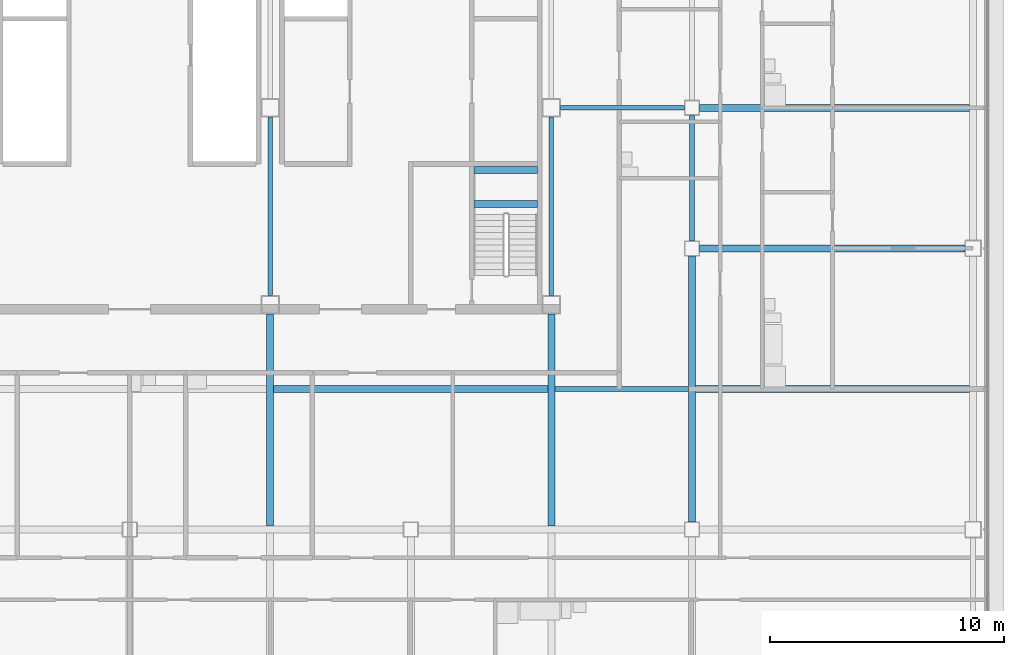
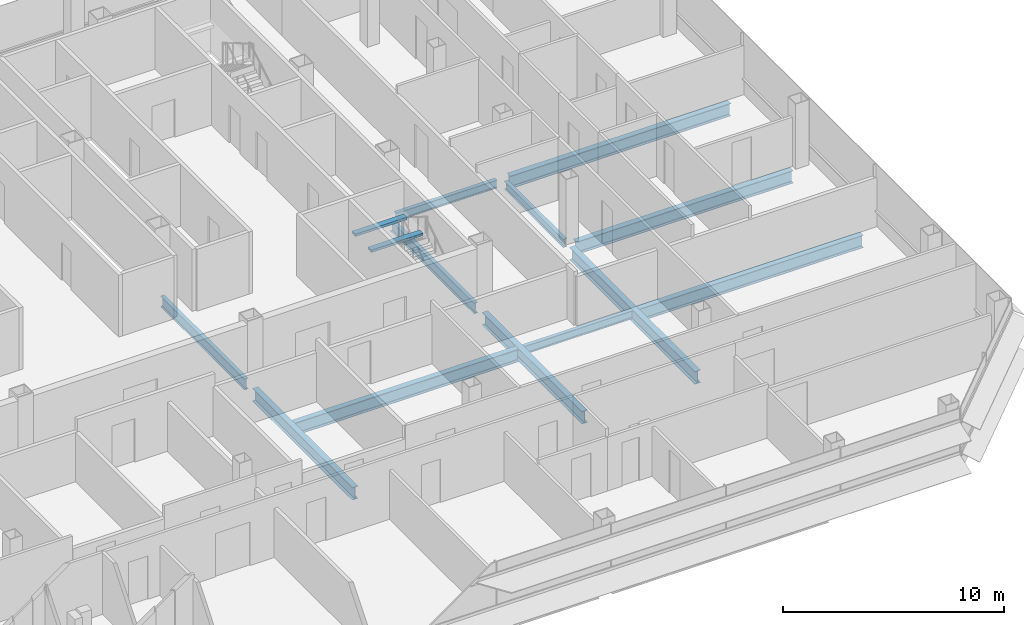
# One storey, part 10 of 26: 14 beams.
"""IFC4 building model written with IfcOpenShell, lengths in metres."""

from ifc_helpers import new_model, si_unit, direction, frame, origin, origin_2d, place, context, subcontext, project, spatial, rectangle, i_section, extrude, material, material_profile, profile_set, type_object, element, save


model = new_model("IFC4")

# Units and contexts
model_context = context("Model", 3, precision=1e-05, world=origin(), true_north=direction((0.0, 1.0)))
body_context = subcontext(model_context, "Body", "Model", "MODEL_VIEW")
ifc_project = project(units=[si_unit("LENGTHUNIT", "METRE"), si_unit("AREAUNIT", "SQUARE_METRE"), si_unit("VOLUMEUNIT", "CUBIC_METRE"), si_unit("PLANEANGLEUNIT", "RADIAN"), si_unit("MASSUNIT", "GRAM", prefix="KILO")], contexts=[model_context])

# Site, building, storey
site_placement = place(None, origin())
site = spatial("IfcSite", under=ifc_project, at=site_placement, CompositionType="ELEMENT")
building_placement = place(site_placement, origin())
building = spatial("IfcBuilding", under=site, at=building_placement, Name="Sorahane Residences", CompositionType="ELEMENT")
storey_placement = place(building_placement, frame((0.0, 0.0, 154.60009765625)))
storey = spatial("IfcBuildingStorey", under=building, at=storey_placement, Name="L35", CompositionType="ELEMENT", Elevation=154.60009765625)

# Beams
ifc_material_1 = material(Name="Concrete C40", Category="concrete")
ifc_material_profile_1 = material_profile(ifc_material_1, rectangle(XDim=0.300048828125, YDim=0.139892578125, at=origin_2d()), Name="300x140")
ifc_profile_set_1 = profile_set([ifc_material_profile_1], Name="Concrete C40")
beam_type_1 = type_object("IfcBeamType", Name="RC landing beam 300 x 140 Concrete C40", PredefinedType="BEAM", material=ifc_profile_set_1)
for number, where, z_axis, x_axis, name in (
    (1, (38.699951171875, 25.89990234375, 1.52978515625), (1.0, 0.0, 0.0), (0.0, 1.0, 0.0), "Landing beam"),
    (2, (38.699951171875, 27.35009765625, 1.52978515625), (1.0, 0.0, 0.0), (0.0, 1.0, 0.0), "Landing beam"),
):
    element("IfcBeam", number, at=place(storey_placement, frame(where, z_axis=z_axis, x_axis=x_axis)), inside=storey, type_object=beam_type_1, Name=name, PredefinedType="BEAM", context=body_context, shape_type="SweptSolid", body=[
        extrude(rectangle(XDim=0.300048828125, YDim=0.139892578125, at=origin_2d()), origin(), (0.0, 0.0, 1.0), 2.699951171875),
    ])
ifc_material_2 = material(Name="Steel Q355B", Category="steel")
ifc_material_profile_2 = material_profile(ifc_material_2, i_section(OverallWidth=0.199951171875, OverallDepth=0.449951171875, WebThickness=0.009033203125, FlangeThickness=0.013916015625, FilletRadius=0.02001953125, at=origin_2d()), Name="HN 450x200x9x14")
ifc_profile_set_2 = profile_set([ifc_material_profile_2], Name="Steel Q355B")
beam_type_2 = type_object("IfcBeamType", Name="Steel floor beam HN 450x200x9x14 Q355B", PredefinedType="BEAM", material=ifc_profile_set_2)
beam_1_placement = place(storey_placement, frame((48.0, 24.324951171875, -0.405029296875), z_axis=(0.0, 1.0, 0.0), x_axis=(-1.0, 0.0, 0.0)))
element("IfcBeam", 3, at=beam_1_placement, inside=storey, type_object=beam_type_2, Name="Beam L35 060", PredefinedType="BEAM", context=body_context, shape_type="SweptSolid", body=[
    extrude(i_section(OverallWidth=0.199951171875, OverallDepth=0.449951171875, WebThickness=0.009033203125, FlangeThickness=0.013916015625, FilletRadius=0.02001953125, at=origin_2d()), origin(), (0.0, 0.0, 1.0), 5.35009765625),
])
beam_2_placement = place(storey_placement, frame((42.14990234375, 18.0, -0.405029296875), z_axis=(1.0, 0.0, 0.0), x_axis=(0.0, 1.0, 0.0)))
element("IfcBeam", 4, at=beam_2_placement, inside=storey, type_object=beam_type_2, Name="Beam L35 083", PredefinedType="BEAM", context=body_context, shape_type="SweptSolid", body=[
    extrude(i_section(OverallWidth=0.199951171875, OverallDepth=0.449951171875, WebThickness=0.009033203125, FlangeThickness=0.013916015625, FilletRadius=0.02001953125, at=origin_2d()), origin(), (0.0, 0.0, 1.0), 5.7001953125),
])
beam_3_placement = place(storey_placement, frame((42.39990234375, 30.0, -0.405029296875), z_axis=(1.0, 0.0, 0.0), x_axis=(0.0, 1.0, 0.0)))
element("IfcBeam", 5, at=beam_3_placement, inside=storey, type_object=beam_type_2, Name="Beam L35 087", PredefinedType="BEAM", context=body_context, shape_type="SweptSolid", body=[
    extrude(i_section(OverallWidth=0.199951171875, OverallDepth=0.449951171875, WebThickness=0.009033203125, FlangeThickness=0.013916015625, FilletRadius=0.02001953125, at=origin_2d()), origin(), (0.0, 0.0, 1.0), 5.275146484375),
])
ifc_material_3 = material(Name="Steel Q355B", Category="steel")
ifc_material_profile_3 = material_profile(ifc_material_3, i_section(OverallWidth=0.199951171875, OverallDepth=0.60009765625, WebThickness=0.010986328125, FlangeThickness=0.01708984375, FilletRadius=0.02392578125, at=origin_2d()), Name="HN 600x200x11x17")
ifc_profile_set_3 = profile_set([ifc_material_profile_3], Name="Steel Q355B")
beam_type_3 = type_object("IfcBeamType", Name="Steel floor beam HN 600x200x11x17 Q355B", PredefinedType="BEAM", material=ifc_profile_set_3)
for number, where, z_axis, x_axis, name in (
    (6, (30.0, 22.0, -0.47998046875), (0.0, 1.0, 0.0), (-1.0, 0.0, 0.0), "Beam L35 046"),
    (7, (42.0, 22.0, -0.47998046875), (0.0, 1.0, 0.0), (-1.0, 0.0, 0.0), "Beam L35 054"),
):
    element("IfcBeam", number, at=place(storey_placement, frame(where, z_axis=z_axis, x_axis=x_axis)), inside=storey, type_object=beam_type_3, Name=name, PredefinedType="BEAM", context=body_context, shape_type="SweptSolid", body=[
        extrude(i_section(OverallWidth=0.199951171875, OverallDepth=0.60009765625, WebThickness=0.010986328125, FlangeThickness=0.01708984375, FilletRadius=0.02392578125, at=origin_2d()), origin(), (0.0, 0.0, 1.0), 7.60009765625),
    ])
ifc_material_4 = material(Name="Steel Q355B", Category="steel")
ifc_material_profile_4 = material_profile(ifc_material_4, i_section(OverallWidth=0.300048828125, OverallDepth=0.699951171875, WebThickness=0.012939453125, FlangeThickness=0.02392578125, FilletRadius=0.028076171875, at=origin_2d()), Name="HN 700x300x13x24")
ifc_profile_set_4 = profile_set([ifc_material_profile_4], Name="Steel Q355B")
beam_type_4 = type_object("IfcBeamType", Name="Steel floor beam HN 700x300x13x24 Q355B", PredefinedType="BEAM", material=ifc_profile_set_4)
beam_4_placement = place(storey_placement, frame((48.324951171875, 24.0, -0.530029296875), z_axis=(1.0, 0.0, 0.0), x_axis=(0.0, 1.0, 0.0)))
element("IfcBeam", 8, at=beam_4_placement, inside=storey, type_object=beam_type_4, Name="Beam L35 012", PredefinedType="BEAM", context=body_context, shape_type="SweptSolid", body=[
    extrude(i_section(OverallWidth=0.300048828125, OverallDepth=0.699951171875, WebThickness=0.012939453125, FlangeThickness=0.02392578125, FilletRadius=0.028076171875, at=origin_2d()), origin(), (0.0, 0.0, 1.0), 11.324951171875),
])
for number, where, z_axis, x_axis, name in (
    (9, (30.0, 12.14990234375, -0.530029296875), (0.0, 1.0, 0.0), (-1.0, 0.0, 0.0), "Beam L35 045"),
    (10, (42.0, 12.14990234375, -0.530029296875), (0.0, 1.0, 0.0), (-1.0, 0.0, 0.0), "Beam L35 053"),
):
    element("IfcBeam", number, at=place(storey_placement, frame(where, z_axis=z_axis, x_axis=x_axis)), inside=storey, type_object=beam_type_4, Name=name, PredefinedType="BEAM", context=body_context, shape_type="SweptSolid", body=[
        extrude(i_section(OverallWidth=0.300048828125, OverallDepth=0.699951171875, WebThickness=0.012939453125, FlangeThickness=0.02392578125, FilletRadius=0.028076171875, at=origin_2d()), origin(), (0.0, 0.0, 1.0), 9.050048828125),
    ])
beam_5_placement = place(storey_placement, frame((48.0, 12.324951171875, -0.530029296875), z_axis=(0.0, 1.0, 0.0), x_axis=(-1.0, 0.0, 0.0)))
element("IfcBeam", 11, at=beam_5_placement, inside=storey, type_object=beam_type_4, Name="Beam L35 059", PredefinedType="BEAM", context=body_context, shape_type="SweptSolid", body=[
    extrude(i_section(OverallWidth=0.300048828125, OverallDepth=0.699951171875, WebThickness=0.012939453125, FlangeThickness=0.02392578125, FilletRadius=0.028076171875, at=origin_2d()), origin(), (0.0, 0.0, 1.0), 11.35009765625),
])
for number, where, z_axis, x_axis, name in (
    (12, (30.14990234375, 18.0, -0.530029296875), (1.0, 0.0, 0.0), (0.0, 1.0, 0.0), "Beam L35 082"),
    (13, (48.14990234375, 18.0, -0.530029296875), (1.0, 0.0, 0.0), (0.0, 1.0, 0.0), "Beam L35 084"),
):
    element("IfcBeam", number, at=place(storey_placement, frame(where, z_axis=z_axis, x_axis=x_axis)), inside=storey, type_object=beam_type_4, Name=name, PredefinedType="BEAM", context=body_context, shape_type="SweptSolid", body=[
        extrude(i_section(OverallWidth=0.300048828125, OverallDepth=0.699951171875, WebThickness=0.012939453125, FlangeThickness=0.02392578125, FilletRadius=0.028076171875, at=origin_2d()), origin(), (0.0, 0.0, 1.0), 11.7001953125),
    ])
beam_6_placement = place(storey_placement, frame((48.324951171875, 30.0, -0.530029296875), z_axis=(1.0, 0.0, 0.0), x_axis=(0.0, 1.0, 0.0)))
element("IfcBeam", 14, at=beam_6_placement, inside=storey, type_object=beam_type_4, Name="Beam L35 088", PredefinedType="BEAM", context=body_context, shape_type="SweptSolid", body=[
    extrude(i_section(OverallWidth=0.300048828125, OverallDepth=0.699951171875, WebThickness=0.012939453125, FlangeThickness=0.02392578125, FilletRadius=0.028076171875, at=origin_2d()), origin(), (0.0, 0.0, 1.0), 11.525146484375),
])

save(model, "model.ifc")
